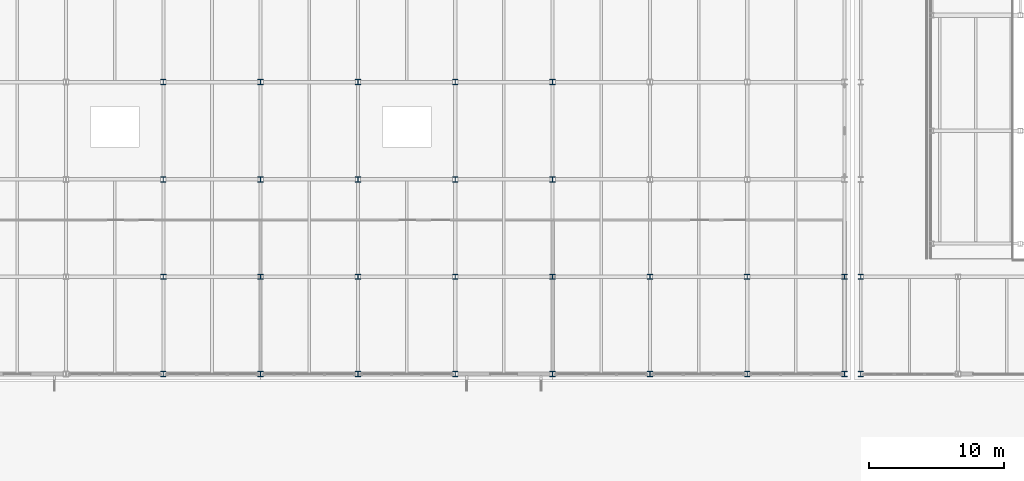
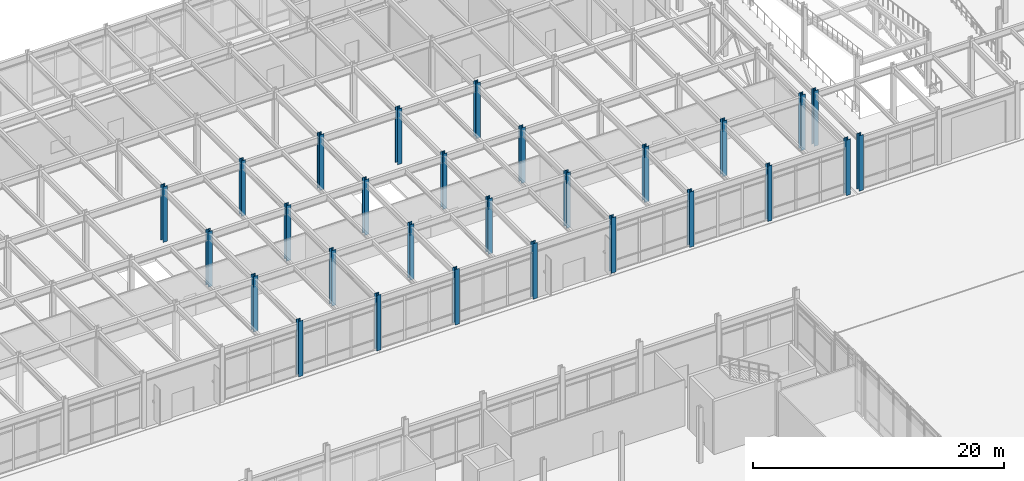
# One storey, part 8 of 104: 28 columns.
"""IFC4 building model written with IfcOpenShell, lengths in metres."""

from ifc_helpers import new_model, si_unit, direction, frame, origin, origin_2d, place, context, subcontext, project, spatial, i_section, extrude, material, material_profile, profile_set, type_object, element, save


model = new_model("IFC4")

# Units and contexts
model_context = context("Model", 3, precision=1e-05, world=origin(), true_north=direction((0.0, 1.0)))
body_context = subcontext(model_context, "Body", "Model", "MODEL_VIEW")
ifc_project = project(units=[si_unit("LENGTHUNIT", "METRE"), si_unit("AREAUNIT", "SQUARE_METRE"), si_unit("VOLUMEUNIT", "CUBIC_METRE"), si_unit("PLANEANGLEUNIT", "RADIAN"), si_unit("MASSUNIT", "GRAM", prefix="KILO")], contexts=[model_context])

# Site, building, storey
site_placement = place(None, origin())
site = spatial("IfcSite", under=ifc_project, at=site_placement, CompositionType="ELEMENT")
building_placement = place(site_placement, origin())
building = spatial("IfcBuilding", under=site, at=building_placement, Name="Vaelcorin Mobility Hub", CompositionType="ELEMENT")
storey_placement = place(building_placement, origin())
storey = spatial("IfcBuildingStorey", under=building, at=storey_placement, Name="L00", CompositionType="ELEMENT", Elevation=0.0)

# Columns
ifc_material = material(Name="Steel ASTM A992 Grade 50", Category="steel")
ifc_material_profile_1 = material_profile(ifc_material, i_section(OverallWidth=0.39599609375, OverallDepth=0.381103515625, WebThickness=0.018798828125, FlangeThickness=0.0302734375, FilletRadius=0.014892578125, at=origin_2d()), Name="W14X159")
ifc_profile_set_1 = profile_set([ifc_material_profile_1], Name="Steel ASTM A992 Grade 50")
column_type_1 = type_object("IfcColumnType", Name="COL-W14X159", PredefinedType="COLUMN", material=ifc_profile_set_1)
for number, where, z_axis, x_axis, name in (
    (1, (123.60009765625, 76.800048828125, 0.0), (0.0, 0.0, 1.0), (1.0, 0.0, 0.0), "Column V2E-G1x1 L00"),
    (2, (123.60009765625, 84.0, 0.0), (0.0, 0.0, 1.0), (1.0, 0.0, 0.0), "Column V2E-G1x2 L00"),
):
    element("IfcColumn", number, at=place(storey_placement, frame(where, z_axis=z_axis, x_axis=x_axis)), inside=storey, type_object=column_type_1, Name=name, PredefinedType="COLUMN", context=body_context, shape_type="SweptSolid", body=[
        extrude(i_section(OverallWidth=0.39599609375, OverallDepth=0.381103515625, WebThickness=0.018798828125, FlangeThickness=0.0302734375, FilletRadius=0.014892578125, at=origin_2d()), origin(), (0.0, 0.0, 1.0), 5.39990234375),
    ])
ifc_material_profile_2 = material_profile(ifc_material, i_section(OverallWidth=0.39892578125, OverallDepth=0.39404296875, WebThickness=0.022705078125, FlangeThickness=0.03662109375, FilletRadius=0.014892578125, at=origin_2d()), Name="W14X193")
ifc_profile_set_2 = profile_set([ifc_material_profile_2], Name="Steel ASTM A992 Grade 50")
column_type_2 = type_object("IfcColumnType", Name="COL-W14X193", PredefinedType="COLUMN", material=ifc_profile_set_2)
for number, where, z_axis, x_axis, name in (
    (3, (72.0, 76.800048828125, 0.0), (0.0, 0.0, 1.0), (1.0, 0.0, 0.0), "Column V4-X06Y01 L00"),
    (4, (72.0, 91.199951171875, 0.0), (0.0, 0.0, 1.0), (1.0, 0.0, 0.0), "Column V4-X06Y03 L00"),
    (5, (72.0, 98.39990234375, 0.0), (0.0, 0.0, 1.0), (1.0, 0.0, 0.0), "Column V4-X06Y04 L00"),
    (6, (79.199951171875, 76.800048828125, 0.0), (0.0, 0.0, 1.0), (1.0, 0.0, 0.0), "Column V4-X07Y01 L00"),
    (7, (79.199951171875, 91.199951171875, 0.0), (0.0, 0.0, 1.0), (1.0, 0.0, 0.0), "Column V4-X07Y03 L00"),
    (8, (79.199951171875, 98.39990234375, 0.0), (0.0, 0.0, 1.0), (1.0, 0.0, 0.0), "Column V4-X07Y04 L00"),
    (9, (86.39990234375, 76.800048828125, 0.0), (0.0, 0.0, 1.0), (1.0, 0.0, 0.0), "Column V4-X08Y01 L00"),
    (10, (86.39990234375, 91.199951171875, 0.0), (0.0, 0.0, 1.0), (1.0, 0.0, 0.0), "Column V4-X08Y03 L00"),
    (11, (86.39990234375, 98.39990234375, 0.0), (0.0, 0.0, 1.0), (1.0, 0.0, 0.0), "Column V4-X08Y04 L00"),
    (12, (93.60009765625, 76.800048828125, 0.0), (0.0, 0.0, 1.0), (1.0, 0.0, 0.0), "Column V4-X09Y01 L00"),
    (13, (93.60009765625, 91.199951171875, 0.0), (0.0, 0.0, 1.0), (1.0, 0.0, 0.0), "Column V4-X09Y03 L00"),
    (14, (93.60009765625, 98.39990234375, 0.0), (0.0, 0.0, 1.0), (1.0, 0.0, 0.0), "Column V4-X09Y04 L00"),
    (15, (100.800048828125, 76.800048828125, 0.0), (0.0, 0.0, 1.0), (1.0, 0.0, 0.0), "Column V4-X10Y01 L00"),
    (16, (100.800048828125, 91.199951171875, 0.0), (0.0, 0.0, 1.0), (1.0, 0.0, 0.0), "Column V4-X10Y03 L00"),
    (17, (100.800048828125, 98.39990234375, 0.0), (0.0, 0.0, 1.0), (1.0, 0.0, 0.0), "Column V4-X10Y04 L00"),
    (18, (108.0, 76.800048828125, 0.0), (0.0, 0.0, 1.0), (1.0, 0.0, 0.0), "Column V4-X11Y01 L00"),
    (19, (115.199951171875, 76.800048828125, 0.0), (0.0, 0.0, 1.0), (1.0, 0.0, 0.0), "Column V4-X12Y01 L00"),
    (20, (122.39990234375, 76.800048828125, 0.0), (0.0, 0.0, 1.0), (1.0, 0.0, 0.0), "Column V4-X13Y01 L00"),
):
    element("IfcColumn", number, at=place(storey_placement, frame(where, z_axis=z_axis, x_axis=x_axis)), inside=storey, type_object=column_type_2, Name=name, PredefinedType="COLUMN", context=body_context, shape_type="SweptSolid", body=[
        extrude(i_section(OverallWidth=0.39892578125, OverallDepth=0.39404296875, WebThickness=0.022705078125, FlangeThickness=0.03662109375, FilletRadius=0.014892578125, at=origin_2d()), origin(), (0.0, 0.0, 1.0), 5.39990234375),
    ])
ifc_material_profile_3 = material_profile(ifc_material, i_section(OverallWidth=0.404052734375, OverallDepth=0.406005859375, WebThickness=0.027099609375, FlangeThickness=0.043701171875, FilletRadius=0.014892578125, at=origin_2d()), Name="W14X233")
ifc_profile_set_3 = profile_set([ifc_material_profile_3], Name="Steel ASTM A992 Grade 50")
column_type_3 = type_object("IfcColumnType", Name="COL-W14X233", PredefinedType="COLUMN", material=ifc_profile_set_3)
for number, where, z_axis, x_axis, name in (
    (21, (72.0, 84.0, 0.0), (0.0, 0.0, 1.0), (1.0, 0.0, 0.0), "Column V4-X06Y02 L00"),
    (22, (79.199951171875, 84.0, 0.0), (0.0, 0.0, 1.0), (1.0, 0.0, 0.0), "Column V4-X07Y02 L00"),
    (23, (86.39990234375, 84.0, 0.0), (0.0, 0.0, 1.0), (1.0, 0.0, 0.0), "Column V4-X08Y02 L00"),
    (24, (93.60009765625, 84.0, 0.0), (0.0, 0.0, 1.0), (1.0, 0.0, 0.0), "Column V4-X09Y02 L00"),
    (25, (100.800048828125, 84.0, 0.0), (0.0, 0.0, 1.0), (1.0, 0.0, 0.0), "Column V4-X10Y02 L00"),
    (26, (108.0, 84.0, 0.0), (0.0, 0.0, 1.0), (1.0, 0.0, 0.0), "Column V4-X11Y02 L00"),
    (27, (115.199951171875, 84.0, 0.0), (0.0, 0.0, 1.0), (1.0, 0.0, 0.0), "Column V4-X12Y02 L00"),
    (28, (122.39990234375, 84.0, 0.0), (0.0, 0.0, 1.0), (1.0, 0.0, 0.0), "Column V4-X13Y02 L00"),
):
    element("IfcColumn", number, at=place(storey_placement, frame(where, z_axis=z_axis, x_axis=x_axis)), inside=storey, type_object=column_type_3, Name=name, PredefinedType="COLUMN", context=body_context, shape_type="SweptSolid", body=[
        extrude(i_section(OverallWidth=0.404052734375, OverallDepth=0.406005859375, WebThickness=0.027099609375, FlangeThickness=0.043701171875, FilletRadius=0.014892578125, at=origin_2d()), origin(), (0.0, 0.0, 1.0), 5.39990234375),
    ])

save(model, "model.ifc")
